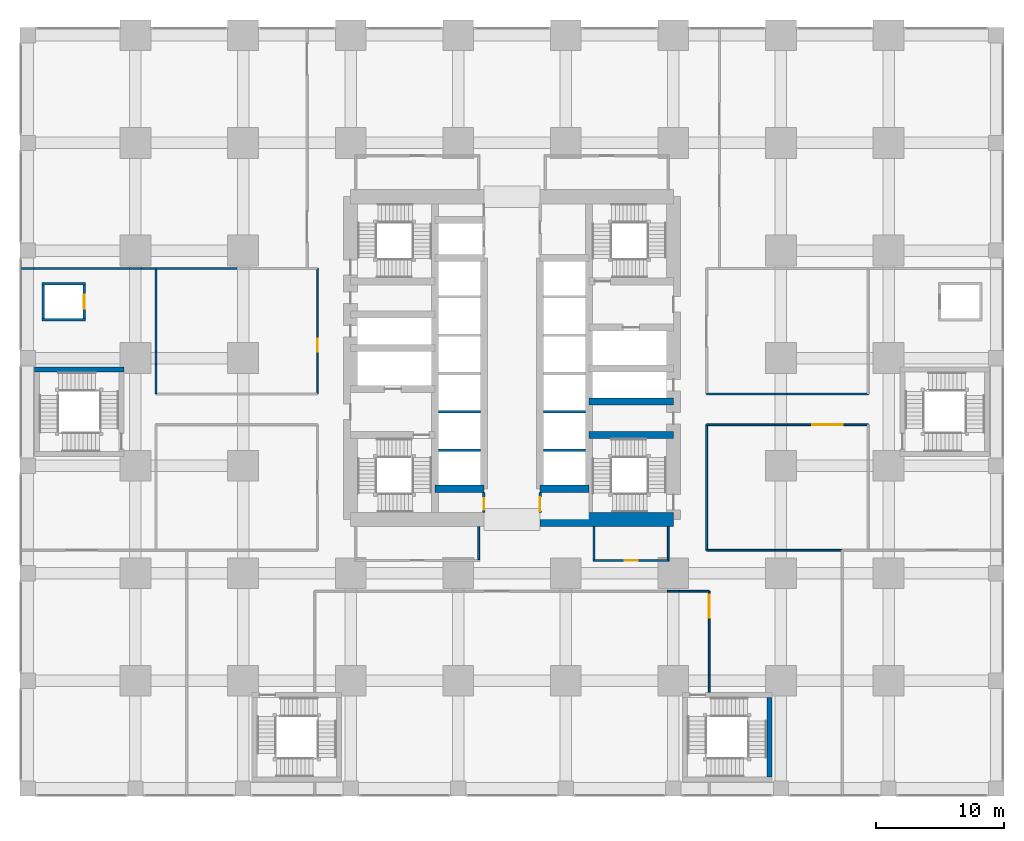
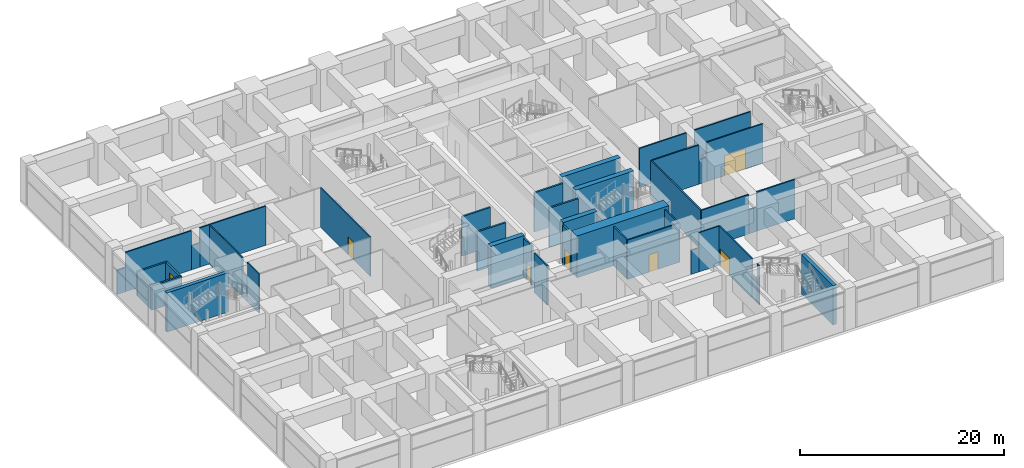
# One storey, part 37 of 49: 44 walls, 7 doors, 7 openings.
"""IFC4 building model written with IfcOpenShell, lengths in metres."""

from ifc_helpers import new_model, si_unit, direction, frame, frame_2d, origin, place, context, subcontext, project, spatial, rectangle, extrude, material, layer, layer_set, type_object, element, fill, save


model = new_model("IFC4")

# Units and contexts
model_context = context("Model", 3, precision=1e-05, world=origin(), true_north=direction((0.0, 1.0)))
body_context = subcontext(model_context, "Body", "Model", "MODEL_VIEW")
ifc_project = project(units=[si_unit("LENGTHUNIT", "METRE"), si_unit("AREAUNIT", "SQUARE_METRE"), si_unit("VOLUMEUNIT", "CUBIC_METRE"), si_unit("PLANEANGLEUNIT", "RADIAN"), si_unit("MASSUNIT", "GRAM", prefix="KILO")], contexts=[model_context])

# Site, building, storey
site_placement = place(None, origin())
site = spatial("IfcSite", under=ifc_project, at=site_placement, CompositionType="ELEMENT")
building_placement = place(site_placement, origin())
building = spatial("IfcBuilding", under=site, at=building_placement, Name="Rekha Terrace Tower", CompositionType="ELEMENT")
storey_placement = place(building_placement, frame((0.0, 0.0, 5.39990234375)))
storey = spatial("IfcBuildingStorey", under=building, at=storey_placement, Name="L01", CompositionType="ELEMENT", Elevation=5.39990234375)

# Walls
ifc_material_1 = material(Name="Concrete M70", Category="concrete")
ifc_layer_1 = layer(ifc_material_1, 0.550048828125)
ifc_layer_set_1 = layer_set([ifc_layer_1], Name="Concrete M70")
wall_type_1 = type_object("IfcWallType", Name="CI1 550 core internal shear wall", PredefinedType="SHEAR", material=ifc_layer_set_1)
for number, where, z_axis, x_axis, name in (
    (1, (31.800048828125, 23.39990234375, 0.0), (0.0, 0.0, 1.0), (1.0, 0.0, 0.0), "Core wall Y234W L01"),
    (2, (40.0, 23.39990234375, 0.0), (0.0, 0.0, 1.0), (1.0, 0.0, 0.0), "Core wall Y234E L01"),
):
    element("IfcWall", number, at=place(storey_placement, frame(where, z_axis=z_axis, x_axis=x_axis)), inside=storey, type_object=wall_type_1, Name=name, PredefinedType="SHEAR", context=body_context, shape_type="SweptSolid", body=[
        extrude(rectangle(XDim=3.800048828125, YDim=0.550048828125, at=frame_2d((1.89990234375, 0.0))), origin(), (0.0, 0.0, 1.0), 5.0),
    ])
for number, where, z_axis, x_axis, name in (
    (3, (43.800048828125, 27.60009765625, 0.0), (0.0, 0.0, 1.0), (1.0, 0.0, 0.0), "Core wall Y276E L01"),
    (4, (43.800048828125, 30.199951171875, 0.0), (0.0, 0.0, 1.0), (1.0, 0.0, 0.0), "Core wall Y302E L01"),
):
    element("IfcWall", number, at=place(storey_placement, frame(where, z_axis=z_axis, x_axis=x_axis)), inside=storey, type_object=wall_type_1, Name=name, PredefinedType="SHEAR", context=body_context, shape_type="SweptSolid", body=[
        extrude(rectangle(XDim=6.599853515625, YDim=0.550048828125, at=frame_2d((3.2998046875, 0.0))), origin(), (0.0, 0.0, 1.0), 5.0),
    ])
ifc_layer_2 = layer(ifc_material_1, 1.10009765625)
ifc_layer_set_2 = layer_set([ifc_layer_2], Name="Concrete M70")
wall_type_2 = type_object("IfcWallType", Name="SW1 1100 core outer shear wall", PredefinedType="SHEAR", material=ifc_layer_set_2)
wall_1_placement = place(storey_placement, frame((40.0, 21.0, 0.0), z_axis=(0.0, 0.0, 1.0), x_axis=(1.0, 0.0, 0.0)))
element("IfcWall", 5, at=wall_1_placement, inside=storey, type_object=wall_type_2, Name="Core wall S2 L01", PredefinedType="SHEAR", context=body_context, shape_type="SweptSolid", body=[
    extrude(rectangle(XDim=10.39990234375, YDim=1.10009765625, at=frame_2d((5.199951171875, 0.0))), origin(), (0.0, 0.0, 1.0), 5.0),
])
ifc_material_2 = material(Name="Concrete block masonry, 1 hour", Category="masonry")
ifc_layer_3 = layer(ifc_material_2, 0.14990234375)
ifc_layer_set_3 = layer_set([ifc_layer_3], Name="Concrete block masonry, 1 hour")
wall_type_3 = type_object("IfcWallType", Name="WP2 150 tenancy partition", PredefinedType="PARTITIONING", material=ifc_layer_set_3)
wall_2_placement = place(storey_placement, frame((35.199951171875, 17.875, 0.0), z_axis=(0.0, 0.0, 1.0), x_axis=(0.0, 1.0, 0.0)))
element("IfcWall", 6, at=wall_2_placement, inside=storey, type_object=wall_type_3, Name="Men's WC wall L01", PredefinedType="PARTITIONING", context=body_context, shape_type="SweptSolid", body=[
    extrude(rectangle(XDim=2.574951171875, YDim=0.14990234375, at=frame_2d((1.28759765625, 0.0))), origin(), (0.0, 0.0, 1.0), 4.7001953125),
])

# Wall, opening, door
wall_3_placement = place(storey_placement, frame((44.125, 17.800048828125, 0.0), z_axis=(0.0, 0.0, 1.0), x_axis=(1.0, 0.0, 0.0)))
wall_3 = element("IfcWall", 7, at=wall_3_placement, inside=storey, type_object=wall_type_3, Name="Men's WC wall L01", PredefinedType="PARTITIONING", context=body_context, shape_type="SweptSolid", body=[
    extrude(rectangle(XDim=5.949951171875, YDim=0.14990234375, at=frame_2d((2.97509765625, 0.0))), origin(), (0.0, 0.0, 1.0), 4.7001953125),
])
opening_1_placement = place(wall_3_placement, frame((2.47509765625, 0.0, 0.0)))
opening_1 = element("IfcOpeningElement", 8, at=opening_1_placement, cuts=wall_3, Name="Opening D3", PredefinedType="OPENING", context=body_context, shape_type="SweptSolid", body=[
    extrude(rectangle(XDim=1.0, YDim=2.10009765625, at=frame_2d((0.5, 1.050048828125))), frame((0.0, 0.0849609375, 0.0), z_axis=(0.0, -1.0, 0.0), x_axis=(1.0, 0.0, 0.0)), (0.0, 0.0, 1.0), 0.169921875),
])
ifc_material_3 = material(Name="Laminated timber fire door", Category="wood")
door_type_1 = type_object("IfcDoorType", Name="D3 1000x2100 WC door", OperationType="SINGLE_SWING_LEFT", PredefinedType="DOOR", material=ifc_material_3)
door_1_placement = place(opening_1_placement, origin())
door_1 = element("IfcDoor", 9, at=door_1_placement, inside=storey, type_object=door_type_1, Name="Door men's wc L01", OperationType="SINGLE_SWING_LEFT", OverallHeight=2.10009765625, OverallWidth=1.0, PredefinedType="DOOR", context=body_context, shape_type="SweptSolid", body=[
    extrude(rectangle(XDim=1.0, YDim=2.10009765625, at=frame_2d((0.5, 1.050048828125))), frame((0.0, 0.02490234375, 0.0), z_axis=(0.0, -1.0, 0.0), x_axis=(1.0, 0.0, 0.0)), (0.0, 0.0, 1.0), 0.050048828125),
])
fill(opening_1, door_1)

# Walls
for number, where, z_axis, x_axis, name in (
    (10, (44.199951171875, 17.875, 0.0), (0.0, 0.0, 1.0), (0.0, 1.0, 0.0), "Men's WC wall L01"),
    (11, (50.0, 17.875, 0.0), (0.0, 0.0, 1.0), (0.0, 1.0, 0.0), "Men's WC wall L01"),
):
    element("IfcWall", number, at=place(storey_placement, frame(where, z_axis=z_axis, x_axis=x_axis)), inside=storey, type_object=wall_type_3, Name=name, PredefinedType="PARTITIONING", context=body_context, shape_type="SweptSolid", body=[
        extrude(rectangle(XDim=2.574951171875, YDim=0.14990234375, at=frame_2d((1.28759765625, 0.0))), origin(), (0.0, 0.0, 1.0), 4.7001953125),
    ])
wall_4_placement = place(storey_placement, frame((16.340087890625, 40.60009765625, 0.0), z_axis=(0.0, 0.0, 1.0), x_axis=(-1.0, 0.0, 0.0)))
element("IfcWall", 12, at=wall_4_placement, inside=storey, type_object=wall_type_3, Name="Partition L01-03", PredefinedType="PARTITIONING", context=body_context, shape_type="SweptSolid", body=[
    extrude(rectangle(XDim=7.47998046875, YDim=0.14990234375, at=frame_2d((3.739990234375, 0.0))), origin(), (0.0, 0.0, 1.0), 4.7001953125),
])
wall_5_placement = place(storey_placement, frame((8.860107421875, 40.60009765625, 0.0), z_axis=(0.0, 0.0, 1.0), x_axis=(-1.0, 0.0, 0.0)))
element("IfcWall", 13, at=wall_5_placement, inside=storey, type_object=wall_type_3, Name="Partition L01-03", PredefinedType="PARTITIONING", context=body_context, shape_type="SweptSolid", body=[
    extrude(rectangle(XDim=0.920166015625, YDim=0.14990234375, at=frame_2d((0.4599609375, 0.0))), origin(), (0.0, 0.0, 1.0), 2.900146484375),
])
wall_6_placement = place(storey_placement, frame((7.93994140625, 40.60009765625, 0.0), z_axis=(0.0, 0.0, 1.0), x_axis=(-1.0, 0.0, 0.0)))
element("IfcWall", 14, at=wall_6_placement, inside=storey, type_object=wall_type_3, Name="Partition L01-03", PredefinedType="PARTITIONING", context=body_context, shape_type="SweptSolid", body=[
    extrude(rectangle(XDim=7.47998046875, YDim=0.14990234375, at=frame_2d((3.739990234375, 0.0))), origin(), (0.0, 0.0, 1.0), 4.7001953125),
])
wall_7_placement = place(storey_placement, frame((0.4599609375, 40.60009765625, 0.0), z_axis=(0.0, 0.0, 1.0), x_axis=(-1.0, 0.0, 0.0)))
element("IfcWall", 15, at=wall_7_placement, inside=storey, type_object=wall_type_3, Name="Partition L01-03", PredefinedType="PARTITIONING", context=body_context, shape_type="SweptSolid", body=[
    extrude(rectangle(XDim=0.949951171875, YDim=0.14990234375, at=frame_2d((0.47509765625, 0.0))), origin(), (0.0, 0.0, 1.0), 2.900146484375),
])
wall_8_placement = place(storey_placement, frame((53.0, 18.60009765625, 0.0), z_axis=(0.0, 0.0, 1.0), x_axis=(0.0, 1.0, 0.0)))
element("IfcWall", 16, at=wall_8_placement, inside=storey, type_object=wall_type_3, Name="Partition L01-09", PredefinedType="PARTITIONING", context=body_context, shape_type="SweptSolid", body=[
    extrude(rectangle(XDim=9.7998046875, YDim=0.14990234375, at=frame_2d((4.89990234375, 0.0))), origin(), (0.0, 0.0, 1.0), 4.7001953125),
])
wall_9_placement = place(storey_placement, frame((53.0, 28.39990234375, 0.0), z_axis=(0.0, 0.0, 1.0), x_axis=(1.0, 0.0, 0.0)))
element("IfcWall", 17, at=wall_9_placement, inside=storey, type_object=wall_type_3, Name="Partition L01-09", PredefinedType="PARTITIONING", context=body_context, shape_type="SweptSolid", body=[
    extrude(rectangle(XDim=5.340087890625, YDim=0.14990234375, at=frame_2d((2.669921875, 0.0))), origin(), (0.0, 0.0, 1.0), 4.7001953125),
])
wall_10_placement = place(storey_placement, frame((58.340087890625, 28.39990234375, 0.0), z_axis=(0.0, 0.0, 1.0), x_axis=(1.0, 0.0, 0.0)))
element("IfcWall", 18, at=wall_10_placement, inside=storey, type_object=wall_type_3, Name="Partition L01-09", PredefinedType="PARTITIONING", context=body_context, shape_type="SweptSolid", body=[
    extrude(rectangle(XDim=0.919921875, YDim=0.14990234375, at=frame_2d((0.4599609375, 0.0))), origin(), (0.0, 0.0, 1.0), 2.900146484375),
])

# Wall, opening, door
wall_11_placement = place(storey_placement, frame((59.260009765625, 28.39990234375, 0.0), z_axis=(0.0, 0.0, 1.0), x_axis=(1.0, 0.0, 0.0)))
wall_11 = element("IfcWall", 19, at=wall_11_placement, inside=storey, type_object=wall_type_3, Name="Partition L01-09", PredefinedType="PARTITIONING", context=body_context, shape_type="SweptSolid", body=[
    extrude(rectangle(XDim=6.340087890625, YDim=0.14990234375, at=frame_2d((3.169921875, 0.0))), origin(), (0.0, 0.0, 1.0), 4.7001953125),
])
opening_2_placement = place(wall_11_placement, frame((1.969970703125, 0.0, 0.0)))
opening_2 = element("IfcOpeningElement", 20, at=opening_2_placement, cuts=wall_11, Name="Opening D7", PredefinedType="OPENING", context=body_context, shape_type="SweptSolid", body=[
    extrude(rectangle(XDim=2.39990234375, YDim=2.39990234375, at=frame_2d((1.199951171875, 1.199951171875))), frame((0.0, 0.0849609375, 0.0), z_axis=(0.0, -1.0, 0.0), x_axis=(1.0, 0.0, 0.0)), (0.0, 0.0, 1.0), 0.169921875),
])
ifc_material_4 = material(Name="Glazed aluminium door", Category="aluminium")
door_type_2 = type_object("IfcDoorType", Name="D7 2400x2400 shopfront double door", OperationType="DOUBLE_DOOR_SINGLE_SWING", PredefinedType="DOOR", material=ifc_material_4)
door_2_placement = place(opening_2_placement, origin())
door_2 = element("IfcDoor", 21, at=door_2_placement, inside=storey, type_object=door_type_2, Name="Door retail kiosk 1 L01", OperationType="DOUBLE_DOOR_SINGLE_SWING", OverallHeight=2.39990234375, OverallWidth=2.39990234375, PredefinedType="DOOR", context=body_context, shape_type="SweptSolid", body=[
    extrude(rectangle(XDim=2.39990234375, YDim=2.39990234375, at=frame_2d((1.199951171875, 1.199951171875))), frame((0.0, 0.02490234375, 0.0), z_axis=(0.0, -1.0, 0.0), x_axis=(1.0, 0.0, 0.0)), (0.0, 0.0, 1.0), 0.050048828125),
])
fill(opening_2, door_2)

# Walls
wall_12_placement = place(storey_placement, frame((63.60009765625, 18.60009765625, 0.0), z_axis=(0.0, 0.0, 1.0), x_axis=(-1.0, 0.0, 0.0)))
element("IfcWall", 22, at=wall_12_placement, inside=storey, type_object=wall_type_3, Name="Partition L01-09", PredefinedType="PARTITIONING", context=body_context, shape_type="SweptSolid", body=[
    extrude(rectangle(XDim=4.340087890625, YDim=0.14990234375, at=frame_2d((2.169921875, 0.0))), origin(), (0.0, 0.0, 1.0), 4.7001953125),
])
wall_13_placement = place(storey_placement, frame((59.260009765625, 18.60009765625, 0.0), z_axis=(0.0, 0.0, 1.0), x_axis=(-1.0, 0.0, 0.0)))
element("IfcWall", 23, at=wall_13_placement, inside=storey, type_object=wall_type_3, Name="Partition L01-09", PredefinedType="PARTITIONING", context=body_context, shape_type="SweptSolid", body=[
    extrude(rectangle(XDim=0.919921875, YDim=0.14990234375, at=frame_2d((0.4599609375, 0.0))), origin(), (0.0, 0.0, 1.0), 2.900146484375),
])
wall_14_placement = place(storey_placement, frame((58.340087890625, 18.60009765625, 0.0), z_axis=(0.0, 0.0, 1.0), x_axis=(-1.0, 0.0, 0.0)))
element("IfcWall", 24, at=wall_14_placement, inside=storey, type_object=wall_type_3, Name="Partition L01-09", PredefinedType="PARTITIONING", context=body_context, shape_type="SweptSolid", body=[
    extrude(rectangle(XDim=5.340087890625, YDim=0.14990234375, at=frame_2d((2.669921875, 0.0))), origin(), (0.0, 0.0, 1.0), 4.7001953125),
])
wall_15_placement = place(storey_placement, frame((65.60009765625, 30.800048828125, 0.0), z_axis=(0.0, 0.0, 1.0), x_axis=(-1.0, 0.0, 0.0)))
element("IfcWall", 25, at=wall_15_placement, inside=storey, type_object=wall_type_3, Name="Partition L01-10", PredefinedType="PARTITIONING", context=body_context, shape_type="SweptSolid", body=[
    extrude(rectangle(XDim=6.340087890625, YDim=0.14990234375, at=frame_2d((3.169921875, 0.0))), origin(), (0.0, 0.0, 1.0), 4.7001953125),
])
wall_16_placement = place(storey_placement, frame((59.260009765625, 30.800048828125, 0.0), z_axis=(0.0, 0.0, 1.0), x_axis=(-1.0, 0.0, 0.0)))
element("IfcWall", 26, at=wall_16_placement, inside=storey, type_object=wall_type_3, Name="Partition L01-10", PredefinedType="PARTITIONING", context=body_context, shape_type="SweptSolid", body=[
    extrude(rectangle(XDim=0.919921875, YDim=0.14990234375, at=frame_2d((0.4599609375, 0.0))), origin(), (0.0, 0.0, 1.0), 2.900146484375),
])
wall_17_placement = place(storey_placement, frame((58.340087890625, 30.800048828125, 0.0), z_axis=(0.0, 0.0, 1.0), x_axis=(-1.0, 0.0, 0.0)))
element("IfcWall", 27, at=wall_17_placement, inside=storey, type_object=wall_type_3, Name="Partition L01-10", PredefinedType="PARTITIONING", context=body_context, shape_type="SweptSolid", body=[
    extrude(rectangle(XDim=5.340087890625, YDim=0.14990234375, at=frame_2d((2.669921875, 0.0))), origin(), (0.0, 0.0, 1.0), 4.7001953125),
])
ifc_material_5 = material(Name="Two layers of fire-rated gypsum board each side on steel studs, acoustic quilt, 1 hour", Category="steel")
ifc_layer_4 = layer(ifc_material_5, 0.125)
ifc_layer_set_4 = layer_set([ifc_layer_4], Name="Two layers of fire-rated gypsum board each side on steel studs, acoustic quilt, 1 hour")
wall_type_4 = type_object("IfcWallType", Name="WP3 125 office partition", PredefinedType="PARTITIONING", material=ifc_layer_set_4)
wall_18_placement = place(storey_placement, frame((49.93994140625, 15.39990234375, 0.0), z_axis=(0.0, 0.0, 1.0), x_axis=(1.0, 0.0, 0.0)))
element("IfcWall", 28, at=wall_18_placement, inside=storey, type_object=wall_type_4, Name="Partition L01-02", PredefinedType="PARTITIONING", context=body_context, shape_type="SweptSolid", body=[
    extrude(rectangle(XDim=0.920166015625, YDim=0.125, at=frame_2d((0.4599609375, 0.0))), origin(), (0.0, 0.0, 1.0), 2.900146484375),
])
wall_19_placement = place(storey_placement, frame((50.860107421875, 15.39990234375, 0.0), z_axis=(0.0, 0.0, 1.0), x_axis=(1.0, 0.0, 0.0)))
element("IfcWall", 29, at=wall_19_placement, inside=storey, type_object=wall_type_4, Name="Partition L01-02", PredefinedType="PARTITIONING", context=body_context, shape_type="SweptSolid", body=[
    extrude(rectangle(XDim=2.33984375, YDim=0.125, at=frame_2d((1.169921875, 0.0))), origin(), (0.0, 0.0, 1.0), 4.7001953125),
])

# Wall, opening, door
wall_20_placement = place(storey_placement, frame((53.199951171875, 15.39990234375, 0.0), z_axis=(0.0, 0.0, 1.0), x_axis=(0.0, -1.0, 0.0)))
wall_20 = element("IfcWall", 30, at=wall_20_placement, inside=storey, type_object=wall_type_4, Name="Partition L01-02", PredefinedType="PARTITIONING", context=body_context, shape_type="SweptSolid", body=[
    extrude(rectangle(XDim=6.539794921875, YDim=0.125, at=frame_2d((3.27001953125, 0.0))), origin(), (0.0, 0.0, 1.0), 4.7001953125),
])
opening_3_placement = place(wall_20_placement, frame((0.27001953125, 0.0, 0.0)))
opening_3 = element("IfcOpeningElement", 31, at=opening_3_placement, cuts=wall_20, Name="Opening D8", PredefinedType="OPENING", context=body_context, shape_type="SweptSolid", body=[
    extrude(rectangle(XDim=1.800048828125, YDim=2.10009765625, at=frame_2d((0.89990234375, 1.050048828125))), frame((0.0, 0.072509765625, 0.0), z_axis=(0.0, -1.0, 0.0), x_axis=(1.0, 0.0, 0.0)), (0.0, 0.0, 1.0), 0.14501953125),
])
ifc_material_6 = material(Name="Timber fire door", Category="wood")
door_type_3 = type_object("IfcDoorType", Name="D8 1800x2100 double leaf door", OperationType="DOUBLE_DOOR_SINGLE_SWING", PredefinedType="DOOR", material=ifc_material_6)
door_3_placement = place(opening_3_placement, origin())
door_3 = element("IfcDoor", 32, at=door_3_placement, inside=storey, type_object=door_type_3, Name="Door metro mezzanine L01", OperationType="DOUBLE_DOOR_SINGLE_SWING", OverallHeight=2.10009765625, OverallWidth=1.800048828125, PredefinedType="DOOR", context=body_context, shape_type="SweptSolid", body=[
    extrude(rectangle(XDim=1.800048828125, YDim=2.10009765625, at=frame_2d((0.89990234375, 1.050048828125))), frame((0.0, 0.02490234375, 0.0), z_axis=(0.0, -1.0, 0.0), x_axis=(1.0, 0.0, 0.0)), (0.0, 0.0, 1.0), 0.050048828125),
])
fill(opening_3, door_3)

# Walls
wall_21_placement = place(storey_placement, frame((53.199951171875, 8.860107421875, 0.0), z_axis=(0.0, 0.0, 1.0), x_axis=(0.0, -1.0, 0.0)))
element("IfcWall", 33, at=wall_21_placement, inside=storey, type_object=wall_type_4, Name="Partition L01-02", PredefinedType="PARTITIONING", context=body_context, shape_type="SweptSolid", body=[
    extrude(rectangle(XDim=0.920166015625, YDim=0.125, at=frame_2d((0.4599609375, 0.0))), origin(), (0.0, 0.0, 1.0), 2.900146484375),
])
wall_22_placement = place(storey_placement, frame((53.199951171875, 7.93994140625, 0.0), z_axis=(0.0, 0.0, 1.0), x_axis=(0.0, -1.0, 0.0)))
element("IfcWall", 34, at=wall_22_placement, inside=storey, type_object=wall_type_4, Name="Partition L01-02", PredefinedType="PARTITIONING", context=body_context, shape_type="SweptSolid", body=[
    extrude(rectangle(XDim=0.43994140625, YDim=0.125, at=frame_2d((0.219970703125, 0.0))), origin(), (0.0, 0.0, 1.0), 4.7001953125),
])

# Wall, opening, door
wall_23_placement = place(storey_placement, frame((22.60009765625, 40.60009765625, 0.0), z_axis=(0.0, 0.0, 1.0), x_axis=(0.0, -1.0, 0.0)))
wall_23 = element("IfcWall", 35, at=wall_23_placement, inside=storey, type_object=wall_type_4, Name="Partition L01-08", PredefinedType="PARTITIONING", context=body_context, shape_type="SweptSolid", body=[
    extrude(rectangle(XDim=9.800048828125, YDim=0.125, at=frame_2d((4.89990234375, 0.0))), origin(), (0.0, 0.0, 1.0), 4.7001953125),
])
opening_4_placement = place(wall_23_placement, frame((5.5, 0.0, 0.0)))
opening_4 = element("IfcOpeningElement", 36, at=opening_4_placement, cuts=wall_23, Name="Opening D9", PredefinedType="OPENING", context=body_context, shape_type="SweptSolid", body=[
    extrude(rectangle(XDim=1.0, YDim=2.10009765625, at=frame_2d((0.5, 1.050048828125))), frame((0.0, 0.072509765625, 0.0), z_axis=(0.0, -1.0, 0.0), x_axis=(1.0, 0.0, 0.0)), (0.0, 0.0, 1.0), 0.14501953125),
])
door_type_4 = type_object("IfcDoorType", Name="D9 1000x2100 office door", OperationType="SINGLE_SWING_LEFT", PredefinedType="DOOR", material=ifc_material_6)
door_4_placement = place(opening_4_placement, origin())
door_4 = element("IfcDoor", 37, at=door_4_placement, inside=storey, type_object=door_type_4, Name="Door metro customer service office L01", OperationType="SINGLE_SWING_LEFT", OverallHeight=2.10009765625, OverallWidth=1.0, PredefinedType="DOOR", context=body_context, shape_type="SweptSolid", body=[
    extrude(rectangle(XDim=1.0, YDim=2.10009765625, at=frame_2d((0.5, 1.050048828125))), frame((0.0, 0.02490234375, 0.0), z_axis=(0.0, -1.0, 0.0), x_axis=(1.0, 0.0, 0.0)), (0.0, 0.0, 1.0), 0.050048828125),
])
fill(opening_4, door_4)

# Walls
wall_24_placement = place(storey_placement, frame((10.0, 30.800048828125, 0.0), z_axis=(0.0, 0.0, 1.0), x_axis=(0.0, 1.0, 0.0)))
element("IfcWall", 38, at=wall_24_placement, inside=storey, type_object=wall_type_4, Name="Partition L01-08", PredefinedType="PARTITIONING", context=body_context, shape_type="SweptSolid", body=[
    extrude(rectangle(XDim=2.33984375, YDim=0.125, at=frame_2d((1.169921875, 0.0))), origin(), (0.0, 0.0, 1.0), 4.7001953125),
])
wall_25_placement = place(storey_placement, frame((10.0, 33.139892578125, 0.0), z_axis=(0.0, 0.0, 1.0), x_axis=(0.0, 1.0, 0.0)))
element("IfcWall", 39, at=wall_25_placement, inside=storey, type_object=wall_type_4, Name="Partition L01-08", PredefinedType="PARTITIONING", context=body_context, shape_type="SweptSolid", body=[
    extrude(rectangle(XDim=0.920166015625, YDim=0.125, at=frame_2d((0.4599609375, 0.0))), origin(), (0.0, 0.0, 1.0), 2.900146484375),
])
wall_26_placement = place(storey_placement, frame((10.0, 34.06005859375, 0.0), z_axis=(0.0, 0.0, 1.0), x_axis=(0.0, 1.0, 0.0)))
element("IfcWall", 40, at=wall_26_placement, inside=storey, type_object=wall_type_4, Name="Partition L01-08", PredefinedType="PARTITIONING", context=body_context, shape_type="SweptSolid", body=[
    extrude(rectangle(XDim=6.46484375, YDim=0.125, at=frame_2d((3.232421875, 0.0))), origin(), (0.0, 0.0, 1.0), 4.7001953125),
])
ifc_material_7 = material(Name="Solid concrete block masonry, 2 hour", Category="masonry")
ifc_layer_5 = layer(ifc_material_7, 0.199951171875)
ifc_layer_set_5 = layer_set([ifc_layer_5], Name="Solid concrete block masonry, 2 hour")
wall_type_5 = type_object("IfcWallType", Name="WS1 200 stair and shaft enclosure", PredefinedType="PARTITIONING", material=ifc_layer_set_5)
for number, where, z_axis, x_axis, name in (
    (41, (1.10009765625, 36.60009765625, 0.0), (0.0, 0.0, 1.0), (1.0, 0.0, 0.0), "Lift PL1 shaft south wall"),
    (42, (1.10009765625, 39.39990234375, 0.0), (0.0, 0.0, 1.0), (1.0, 0.0, 0.0), "Lift PL1 shaft north wall"),
):
    element("IfcWall", number, at=place(storey_placement, frame(where, z_axis=z_axis, x_axis=x_axis)), inside=storey, type_object=wall_type_5, Name=name, PredefinedType="PARTITIONING", context=body_context, shape_type="SweptSolid", body=[
        extrude(rectangle(XDim=3.39990234375, YDim=0.199951171875, at=frame_2d((1.699951171875, 0.0))), origin(), (0.0, 0.0, 1.0), 2.900146484375),
    ])
wall_27_placement = place(storey_placement, frame((1.199951171875, 36.699951171875, 0.0), z_axis=(0.0, 0.0, 1.0), x_axis=(0.0, 1.0, 0.0)))
element("IfcWall", 43, at=wall_27_placement, inside=storey, type_object=wall_type_5, Name="Lift PL1 shaft west wall", PredefinedType="PARTITIONING", context=body_context, shape_type="SweptSolid", body=[
    extrude(rectangle(XDim=2.60009765625, YDim=0.199951171875, at=frame_2d((1.300048828125, 0.0))), origin(), (0.0, 0.0, 1.0), 2.900146484375),
])

# Wall, opening, door
wall_28_placement = place(storey_placement, frame((4.39990234375, 36.699951171875, 0.0), z_axis=(0.0, 0.0, 1.0), x_axis=(0.0, 1.0, 0.0)))
wall_28 = element("IfcWall", 44, at=wall_28_placement, inside=storey, type_object=wall_type_5, Name="Lift PL1 shaft east wall", PredefinedType="PARTITIONING", context=body_context, shape_type="SweptSolid", body=[
    extrude(rectangle(XDim=2.60009765625, YDim=0.199951171875, at=frame_2d((1.300048828125, 0.0))), origin(), (0.0, 0.0, 1.0), 2.900146484375),
])
opening_5_placement = place(wall_28_placement, frame((0.75, 0.0, 0.0)))
opening_5 = element("IfcOpeningElement", 45, at=opening_5_placement, cuts=wall_28, Name="Opening LD1", PredefinedType="OPENING", context=body_context, shape_type="SweptSolid", body=[
    extrude(rectangle(XDim=1.10009765625, YDim=2.10009765625, at=frame_2d((0.550048828125, 1.050048828125))), frame((0.0, 0.10986328125, 0.0), z_axis=(0.0, -1.0, 0.0), x_axis=(1.0, 0.0, 0.0)), (0.0, 0.0, 1.0), 0.219970703125),
])
ifc_material_8 = material(Name="Stainless steel sliding landing door", Category="steel")
door_type_5 = type_object("IfcDoorType", Name="LD1 1100x2100 lift landing door", OperationType="SLIDING_TO_LEFT", PredefinedType="USERDEFINED", material=ifc_material_8)
door_5_placement = place(opening_5_placement, origin())
door_5 = element("IfcDoor", 46, at=door_5_placement, inside=storey, type_object=door_type_5, Name="Lift PL1 landing door L01", ObjectType="LIFT LANDING DOOR", OperationType="SLIDING_TO_LEFT", OverallHeight=2.10009765625, OverallWidth=1.10009765625, PredefinedType="USERDEFINED", context=body_context, shape_type="SweptSolid", body=[
    extrude(rectangle(XDim=1.10009765625, YDim=2.10009765625, at=frame_2d((0.550048828125, 1.050048828125))), frame((0.0, 0.02490234375, 0.0), z_axis=(0.0, -1.0, 0.0), x_axis=(1.0, 0.0, 0.0)), (0.0, 0.0, 1.0), 0.050048828125),
])
fill(opening_5, door_5)

# Walls
for number, where, z_axis, x_axis, name in (
    (47, (32.074951171875, 26.39990234375, 0.0), (0.0, 0.0, 1.0), (1.0, 0.0, 0.0), "Lift shaft divider L01"),
    (48, (32.074951171875, 29.39990234375, 0.0), (0.0, 0.0, 1.0), (1.0, 0.0, 0.0), "Lift shaft divider L01"),
    (49, (40.27490234375, 26.39990234375, 0.0), (0.0, 0.0, 1.0), (1.0, 0.0, 0.0), "Lift shaft divider L01"),
    (50, (40.27490234375, 29.39990234375, 0.0), (0.0, 0.0, 1.0), (1.0, 0.0, 0.0), "Lift shaft divider L01"),
):
    element("IfcWall", number, at=place(storey_placement, frame(where, z_axis=z_axis, x_axis=x_axis)), inside=storey, type_object=wall_type_5, Name=name, PredefinedType="PARTITIONING", context=body_context, shape_type="SweptSolid", body=[
        extrude(rectangle(XDim=3.25, YDim=0.199951171875, at=frame_2d((1.625, 0.0))), origin(), (0.0, 0.0, 1.0), 4.7001953125),
    ])

# Wall, opening, door
wall_29_placement = place(storey_placement, frame((40.0, 21.550048828125, 0.0), z_axis=(0.0, 0.0, 1.0), x_axis=(0.0, 1.0, 0.0)))
wall_29 = element("IfcWall", 51, at=wall_29_placement, inside=storey, type_object=wall_type_5, Name="Core partition wca L01", PredefinedType="PARTITIONING", context=body_context, shape_type="SweptSolid", body=[
    extrude(rectangle(XDim=1.574951171875, YDim=0.199951171875, at=frame_2d((0.78759765625, 0.0))), origin(), (0.0, 0.0, 1.0), 4.7001953125),
])
opening_6_placement = place(wall_29_placement, frame((0.10009765625, 0.0, 0.0)))
opening_6 = element("IfcOpeningElement", 52, at=opening_6_placement, cuts=wall_29, Name="Opening D4", PredefinedType="OPENING", context=body_context, shape_type="SweptSolid", body=[
    extrude(rectangle(XDim=1.10009765625, YDim=2.10009765625, at=frame_2d((0.550048828125, 1.050048828125))), frame((0.0, 0.10986328125, 0.0), z_axis=(0.0, -1.0, 0.0), x_axis=(1.0, 0.0, 0.0)), (0.0, 0.0, 1.0), 0.219970703125),
])
door_type_6 = type_object("IfcDoorType", Name="D4 1100x2100 accessible WC door", OperationType="SLIDING_TO_LEFT", PredefinedType="DOOR", material=ifc_material_3)
door_6_placement = place(opening_6_placement, origin())
door_6 = element("IfcDoor", 53, at=door_6_placement, inside=storey, type_object=door_type_6, Name="Door wca L01", OperationType="SLIDING_TO_LEFT", OverallHeight=2.10009765625, OverallWidth=1.10009765625, PredefinedType="DOOR", context=body_context, shape_type="SweptSolid", body=[
    extrude(rectangle(XDim=1.10009765625, YDim=2.10009765625, at=frame_2d((0.550048828125, 1.050048828125))), frame((0.0, 0.02490234375, 0.0), z_axis=(0.0, -1.0, 0.0), x_axis=(1.0, 0.0, 0.0)), (0.0, 0.0, 1.0), 0.050048828125),
])
fill(opening_6, door_6)

wall_30_placement = place(storey_placement, frame((35.60009765625, 21.550048828125, 0.0), z_axis=(0.0, 0.0, 1.0), x_axis=(0.0, 1.0, 0.0)))
wall_30 = element("IfcWall", 54, at=wall_30_placement, inside=storey, type_object=wall_type_5, Name="Core partition west L01", PredefinedType="PARTITIONING", context=body_context, shape_type="SweptSolid", body=[
    extrude(rectangle(XDim=1.574951171875, YDim=0.199951171875, at=frame_2d((0.78759765625, 0.0))), origin(), (0.0, 0.0, 1.0), 4.7001953125),
])
opening_7_placement = place(wall_30_placement, frame((0.199951171875, 0.0, 0.0)))
opening_7 = element("IfcOpeningElement", 55, at=opening_7_placement, cuts=wall_30, Name="Opening D5", PredefinedType="OPENING", context=body_context, shape_type="SweptSolid", body=[
    extrude(rectangle(XDim=0.89990234375, YDim=2.10009765625, at=frame_2d((0.449951171875, 1.050048828125))), frame((0.0, 0.10986328125, 0.0), z_axis=(0.0, -1.0, 0.0), x_axis=(1.0, 0.0, 0.0)), (0.0, 0.0, 1.0), 0.219970703125),
])
ifc_material_9 = material(Name="Steel fire door", Category="steel")
door_type_7 = type_object("IfcDoorType", Name="D5 900x2100 riser access door", OperationType="SINGLE_SWING_LEFT", PredefinedType="DOOR", material=ifc_material_9)
door_7_placement = place(opening_7_placement, origin())
door_7 = element("IfcDoor", 56, at=door_7_placement, inside=storey, type_object=door_type_7, Name="Door it comms room L01", OperationType="SINGLE_SWING_LEFT", OverallHeight=2.10009765625, OverallWidth=0.89990234375, PredefinedType="DOOR", context=body_context, shape_type="SweptSolid", body=[
    extrude(rectangle(XDim=0.89990234375, YDim=2.10009765625, at=frame_2d((0.449951171875, 1.050048828125))), frame((0.0, 0.02490234375, 0.0), z_axis=(0.0, -1.0, 0.0), x_axis=(1.0, 0.0, 0.0)), (0.0, 0.0, 1.0), 0.050048828125),
])
fill(opening_7, door_7)

# Walls
ifc_material_10 = material(Name="Concrete M60", Category="concrete")
ifc_layer_6 = layer(ifc_material_10, 0.39990234375)
ifc_layer_set_6 = layer_set([ifc_layer_6], Name="Concrete M60")
wall_type_6 = type_object("IfcWallType", Name="WS3 400 RC podium stair wall", PredefinedType="SOLIDWALL", material=ifc_layer_set_6)
wall_31_placement = place(storey_placement, frame((0.5, 32.699951171875, 0.0), z_axis=(0.0, 0.0, 1.0), x_axis=(1.0, 0.0, 0.0)))
element("IfcWall", 57, at=wall_31_placement, inside=storey, type_object=wall_type_6, Name="Stair SP1 north wall", PredefinedType="SOLIDWALL", context=body_context, shape_type="SweptSolid", body=[
    extrude(rectangle(XDim=7.0, YDim=0.39990234375, at=frame_2d((3.5, 0.0))), origin(), (0.0, 0.0, 1.0), 4.7001953125),
])
wall_32_placement = place(storey_placement, frame((57.89990234375, 0.89990234375, 0.0), z_axis=(0.0, 0.0, 1.0), x_axis=(0.0, 1.0, 0.0)))
element("IfcWall", 58, at=wall_32_placement, inside=storey, type_object=wall_type_6, Name="Stair SP4 east wall", PredefinedType="SOLIDWALL", context=body_context, shape_type="SweptSolid", body=[
    extrude(rectangle(XDim=6.2001953125, YDim=0.39990234375, at=frame_2d((3.10009765625, 0.0))), origin(), (0.0, 0.0, 1.0), 4.7001953125),
])

save(model, "model.ifc")
